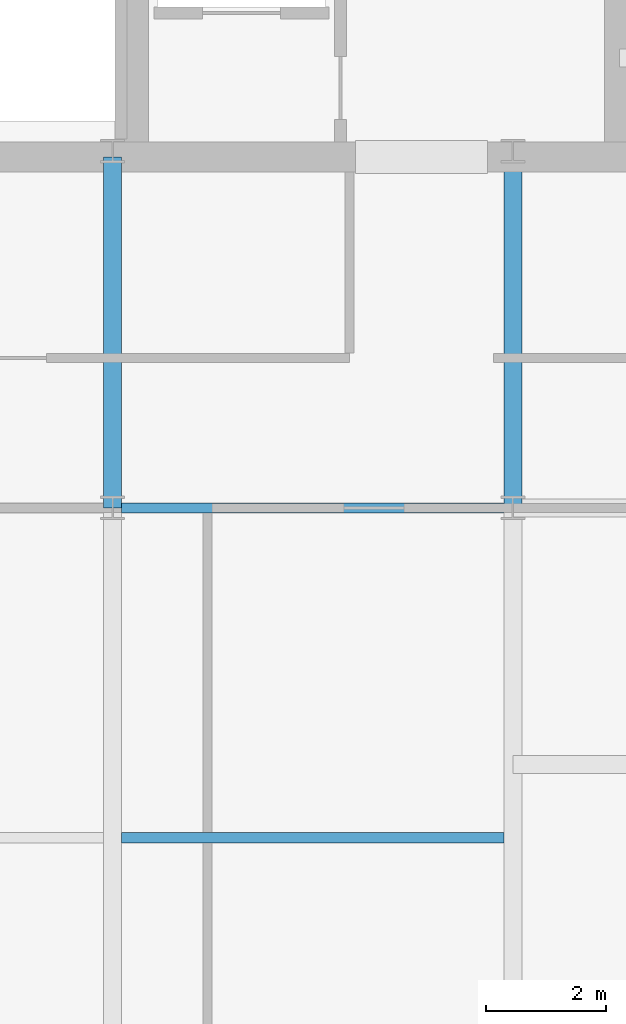
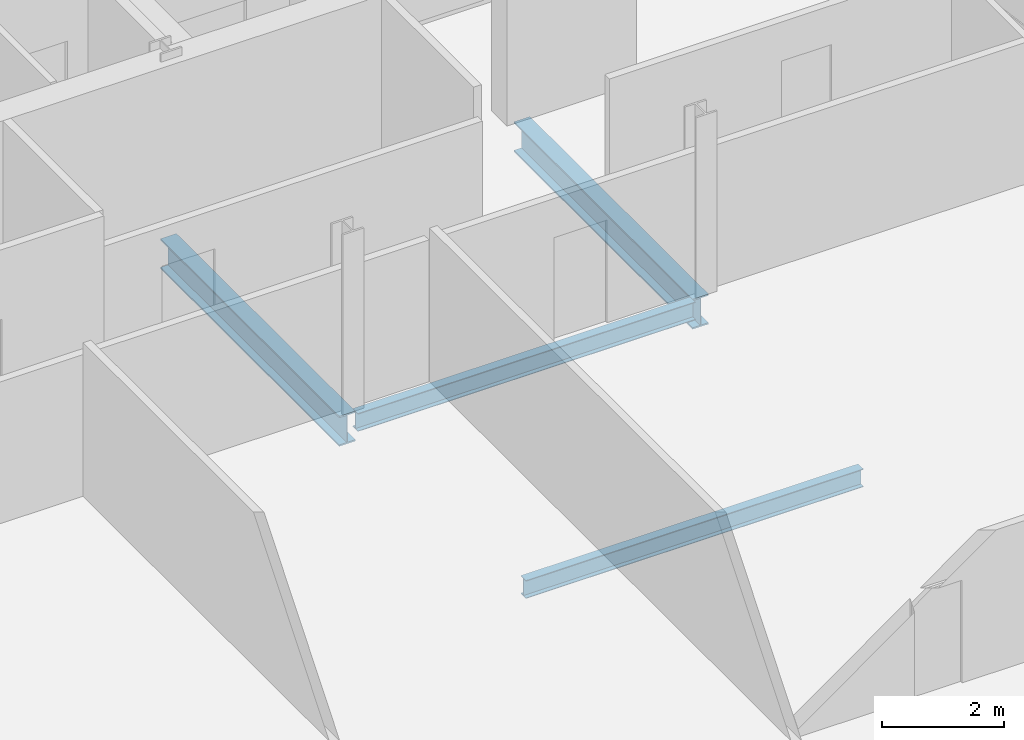
# One storey, part 16 of 29: 4 beams.
"""IFC4 building model written with IfcOpenShell, lengths in metres."""

from ifc_helpers import new_model, si_unit, direction, frame, origin, origin_2d, place, context, subcontext, project, spatial, i_section, extrude, material, material_profile, profile_set, type_object, element, save


model = new_model("IFC4")

# Units and contexts
model_context = context("Model", 3, precision=1e-05, world=origin(), true_north=direction((0.0, 1.0)))
body_context = subcontext(model_context, "Body", "Model", "MODEL_VIEW")
ifc_project = project(units=[si_unit("LENGTHUNIT", "METRE"), si_unit("AREAUNIT", "SQUARE_METRE"), si_unit("VOLUMEUNIT", "CUBIC_METRE"), si_unit("PLANEANGLEUNIT", "RADIAN"), si_unit("MASSUNIT", "GRAM", prefix="KILO")], contexts=[model_context])

# Site, building, storey
site_placement = place(None, origin())
site = spatial("IfcSite", under=ifc_project, at=site_placement, CompositionType="ELEMENT")
building_placement = place(site_placement, origin())
building = spatial("IfcBuilding", under=site, at=building_placement, Name="Khoronbel Lancet Exchange", CompositionType="ELEMENT")
storey_placement = place(building_placement, frame((0.0, 0.0, 336.199951171875)))
storey = spatial("IfcBuildingStorey", under=building, at=storey_placement, Name="L87", CompositionType="ELEMENT", Elevation=336.199951171875)

# Beams
ifc_material = material(Name="Steel S355", Category="steel")
ifc_material_profile_1 = material_profile(ifc_material, i_section(OverallWidth=0.300048828125, OverallDepth=0.60009765625, WebThickness=0.015380859375, FlangeThickness=0.030029296875, at=origin_2d()), Name="HEB 600")
ifc_profile_set_1 = profile_set([ifc_material_profile_1], Name="Steel S355")
beam_type_1 = type_object("IfcBeamType", Name="BM-BG5", PredefinedType="BEAM", material=ifc_profile_set_1)
for number, where, z_axis, x_axis, name in (
    (1, (48.0, 35.699951171875, -0.4599609375), (0.0, 1.0, 0.0), (-1.0, 0.0, 0.0), "Level L87 spine tie girder GN5"),
    (2, (54.675048828125, 35.699951171875, -0.4599609375), (0.0, 1.0, 0.0), (-1.0, 0.0, 0.0), "Level L87 spine tie girder GN6"),
):
    element("IfcBeam", number, at=place(storey_placement, frame(where, z_axis=z_axis, x_axis=x_axis)), inside=storey, type_object=beam_type_1, Name=name, PredefinedType="BEAM", context=body_context, shape_type="SweptSolid", body=[
        extrude(i_section(OverallWidth=0.300048828125, OverallDepth=0.60009765625, WebThickness=0.015380859375, FlangeThickness=0.030029296875, at=origin_2d()), origin(), (0.0, 0.0, 1.0), 5.85009765625),
    ])
ifc_material_profile_2 = material_profile(ifc_material, i_section(OverallWidth=0.169921875, OverallDepth=0.360107421875, WebThickness=0.008056640625, FlangeThickness=0.0126953125, at=origin_2d()), Name="IPE 360")
ifc_profile_set_2 = profile_set([ifc_material_profile_2], Name="Steel S355")
beam_type_2 = type_object("IfcBeamType", Name="BM-BJ6", PredefinedType="JOIST", material=ifc_profile_set_2)
for number, where, z_axis, x_axis, name in (
    (3, (48.14990234375, 30.199951171875, -0.33984375), (1.0, 0.0, 0.0), (0.0, 1.0, 0.0), "Level L87 secondary composite joist J09"),
    (4, (48.14990234375, 35.699951171875, -0.33984375), (1.0, 0.0, 0.0), (0.0, 1.0, 0.0), "Level L87 secondary composite joist J12"),
):
    element("IfcBeam", number, at=place(storey_placement, frame(where, z_axis=z_axis, x_axis=x_axis)), inside=storey, type_object=beam_type_2, Name=name, PredefinedType="JOIST", context=body_context, shape_type="SweptSolid", body=[
        extrude(i_section(OverallWidth=0.169921875, OverallDepth=0.360107421875, WebThickness=0.008056640625, FlangeThickness=0.0126953125, at=origin_2d()), origin(), (0.0, 0.0, 1.0), 6.375),
    ])

save(model, "model.ifc")
